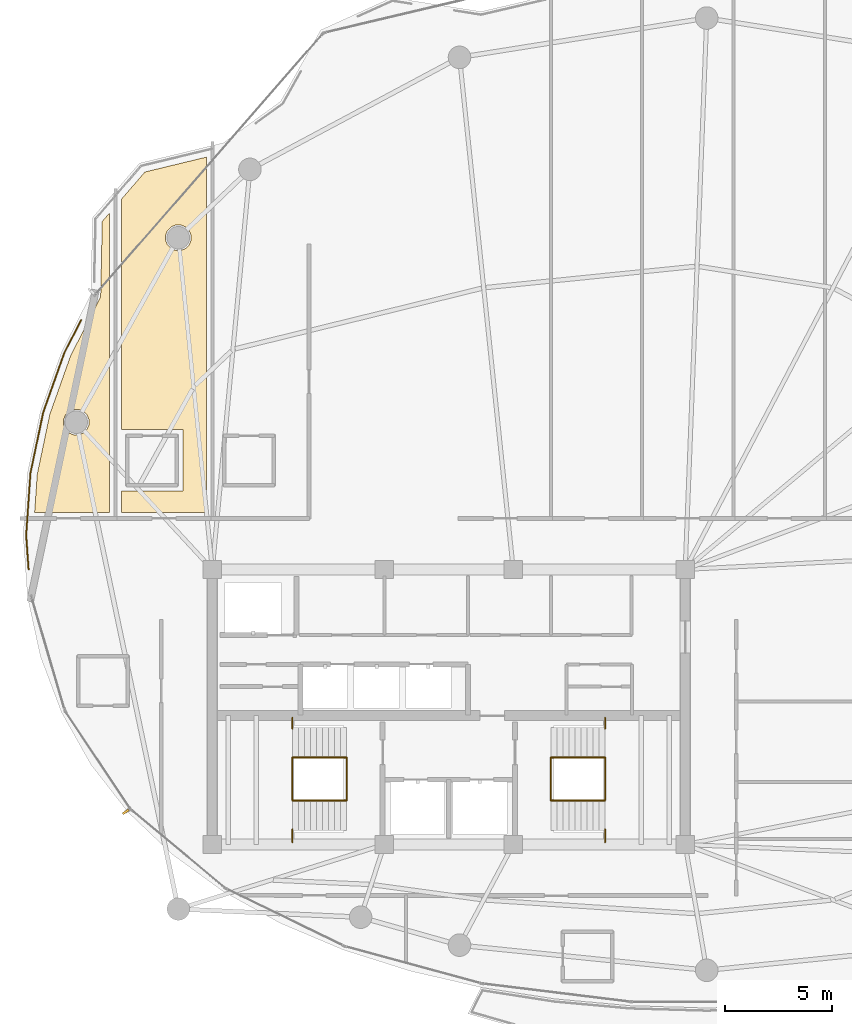
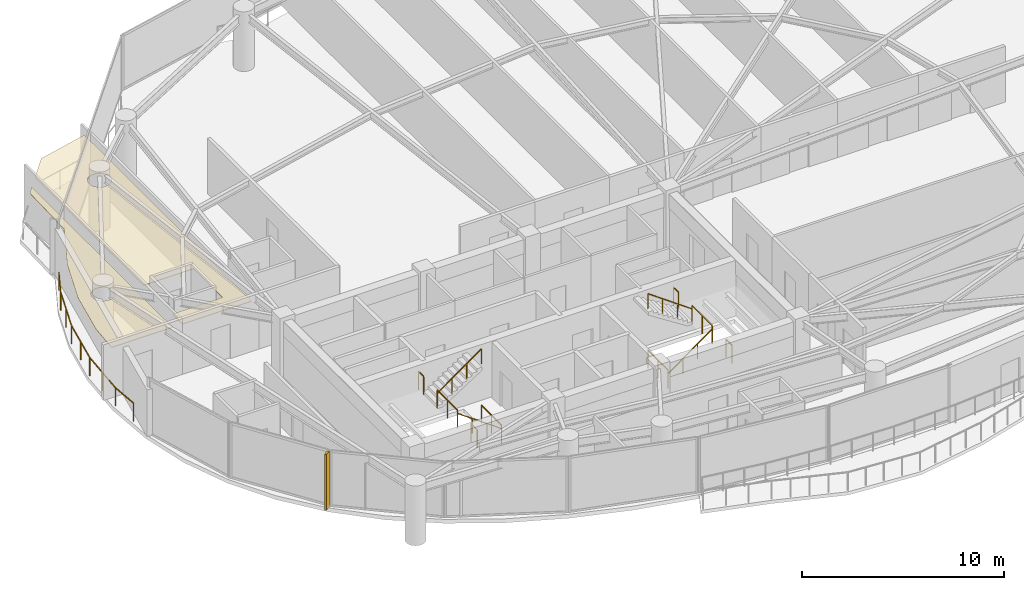
# One storey, part 27 of 29: 13 railings, 2 coverings, 1 shading device.
"""IFC4 building model written with IfcOpenShell, lengths in metres."""

import ifcopenshell
import ifcopenshell.guid

model = None  # the IFC model being written
_history = None  # IfcOwnerHistory: only IFC2X3 demands one
_inside = {}  # id of a spatial element -> (the spatial element, [elements in it])
_under = {}  # id of a project, library or spatial element -> (it, [spatial elements below it])
_declared = {}  # id of a project -> (the project, [libraries it declares])
_typed = {}  # id of a type object -> (the type object, [elements of that type])
_made_of = {}  # id of a material, layer set ... -> (it, [elements and type objects made of it])


def new_model(schema):
    """Start an empty IFC model of exactly this schema.

    Asked for "IFC4X3", IfcOpenShell would pick the latest addendum, in which some entities
    have other attributes; the version numbers below select the first issue.
    IFC2X3 requires an IfcOwnerHistory on every rooted entity: one is made here for all.
    """
    global model, _history
    if schema == "IFC4X3":
        model = ifcopenshell.file(schema_version=(4, 3, 0, 0))
    else:
        model = ifcopenshell.file(schema=schema)
    _inside.clear()
    _under.clear()
    _declared.clear()
    _typed.clear()
    _made_of.clear()
    _history = None
    if model.schema == "IFC2X3":
        org = make("IfcOrganization", Name="unknown")
        user = make(
            "IfcPersonAndOrganization",
            ThePerson=make("IfcPerson", FamilyName="unknown"),
            TheOrganization=org,
        )
        app = make(
            "IfcApplication",
            ApplicationDeveloper=org,
            Version="unknown",
            ApplicationFullName="unknown",
            ApplicationIdentifier="unknown",
        )
        _history = make(
            "IfcOwnerHistory",
            OwningUser=user,
            OwningApplication=app,
            ChangeAction="ADDED",
            CreationDate=0,
        )
    return model


def make(cls, **values):
    """One entity of the class cls with the attributes given. An attribute that is None is left unset."""
    return model.create_entity(
        cls, **{name: value for name, value in values.items() if value is not None}
    )


def rooted(cls, **values):
    """An entity with a GlobalId (a new one), such as an element, a storey or a relation."""
    return make(cls, GlobalId=ifcopenshell.guid.new(), OwnerHistory=_history, **values)


def si_unit(unit_type, name, prefix=None):
    """IfcSIUnit, for example si_unit("LENGTHUNIT", "METRE", prefix="MILLI")."""
    return make("IfcSIUnit", UnitType=unit_type, Prefix=prefix, Name=name)


def assignment(units):
    """IfcUnitAssignment: the units of a project."""
    return None if units is None else make("IfcUnitAssignment", Units=units)


def point(xyz):
    """IfcCartesianPoint."""
    return None if xyz is None else make("IfcCartesianPoint", Coordinates=xyz)


def direction(xyz):
    """IfcDirection."""
    return None if xyz is None else make("IfcDirection", DirectionRatios=xyz)


def frame(location, z_axis=None, x_axis=None):
    """IfcAxis2Placement3D, a coordinate frame: its origin and axes. An axis left out is left unset."""
    return make(
        "IfcAxis2Placement3D",
        Location=point(location),
        Axis=direction(z_axis),
        RefDirection=direction(x_axis),
    )


def frame_2d(location, x_axis=None):
    """IfcAxis2Placement2D, a coordinate frame in the plane: its origin and x axis."""
    return make(
        "IfcAxis2Placement2D", Location=point(location), RefDirection=direction(x_axis)
    )


def origin():
    """The frame at (0, 0, 0) with its axes left unset."""
    return frame((0.0, 0.0, 0.0))


def origin_2d():
    """The frame at (0, 0) in the plane with its x axis left unset."""
    return frame_2d((0.0, 0.0))


def place(relative_to, where):
    """IfcLocalPlacement: puts the frame where relative to a parent placement (None: the world)."""
    return make(
        "IfcLocalPlacement", PlacementRelTo=relative_to, RelativePlacement=where
    )


def context(
    kind, dimensions, precision=None, world=None, true_north=None, identifier=None
):
    """IfcGeometricRepresentationContext, for example the 3D "Model" context."""
    return make(
        "IfcGeometricRepresentationContext",
        ContextIdentifier=identifier,
        ContextType=kind,
        CoordinateSpaceDimension=dimensions,
        Precision=precision,
        WorldCoordinateSystem=world,
        TrueNorth=true_north,
    )


def subcontext(parent, identifier, kind, view, scale=None):
    """IfcGeometricRepresentationSubContext, for example "Body" below "Model"."""
    return make(
        "IfcGeometricRepresentationSubContext",
        ContextIdentifier=identifier,
        ContextType=kind,
        ParentContext=parent,
        TargetScale=scale,
        TargetView=view,
    )


def project(units=None, contexts=None):
    """IfcProject with its units and contexts."""
    return rooted(
        "IfcProject",
        Name="project",
        RepresentationContexts=contexts,
        UnitsInContext=assignment(units),
    )


def spatial(cls, under=None, at=None, **own):
    """A site, building, storey or space (cls), placed at a placement, below another one or the project."""
    s = rooted(cls, ObjectPlacement=at, **own)
    if under is not None:
        _under.setdefault(under.id(), (under, []))[1].append(s)
    return s


def polyline(points):
    """IfcPolyline through the points."""
    return make("IfcPolyline", Points=[point(p) for p in points])


def profile(cls, at=None, kind="AREA", **sizes):
    """A parametric profile (cls). Its sizes go by their IFC names, for example OverallWidth=200.0."""
    return make(cls, ProfileType=kind, Position=at, **sizes)


def rectangle(**sizes):
    """IfcRectangleProfileDef."""
    return profile("IfcRectangleProfileDef", **sizes)


def outline(outer, holes=None, kind="AREA"):
    """IfcArbitraryClosedProfileDef: a profile drawn as a closed curve; with holes, ...WithVoids."""
    if holes is None:
        return make("IfcArbitraryClosedProfileDef", ProfileType=kind, OuterCurve=outer)
    return make(
        "IfcArbitraryProfileDefWithVoids",
        ProfileType=kind,
        OuterCurve=outer,
        InnerCurves=holes,
    )


def extrude(swept, where, along, depth):
    """IfcExtrudedAreaSolid: the profile swept, set in the frame where, extruded along a direction by depth."""
    return make(
        "IfcExtrudedAreaSolid",
        SweptArea=swept,
        Position=where,
        ExtrudedDirection=direction(along),
        Depth=depth,
    )


def shape(context_of_items, identifier, shape_type, items):
    """IfcShapeRepresentation: the items that make up one representation, for example the "Body"."""
    return make(
        "IfcShapeRepresentation",
        ContextOfItems=context_of_items,
        RepresentationIdentifier=identifier,
        RepresentationType=shape_type,
        Items=items,
    )


def material(Name=None, Category=None):
    """IfcMaterial."""
    return make("IfcMaterial", Name=Name, Category=Category)


def layer(
    of_material, thickness, ventilated=None, Name=None, Category=None, Priority=None
):
    """IfcMaterialLayer: one layer of a wall or slab, of a material (None: an air gap)."""
    return make(
        "IfcMaterialLayer",
        Material=of_material,
        LayerThickness=thickness,
        IsVentilated=ventilated,
        Name=Name,
        Category=Category,
        Priority=Priority,
    )


def layer_set(layers, Name=None):
    """IfcMaterialLayerSet."""
    return make("IfcMaterialLayerSet", MaterialLayers=layers, LayerSetName=Name)


def made_of(thing, what):
    """Note that an element or type object is made of a material, layer set ...; save() writes the relation."""
    if what is not None:
        _made_of.setdefault(what.id(), (what, []))[1].append(thing)
    return thing


def type_object(cls, material=None, **own):
    """A type object (cls), such as IfcWallType, which elements share."""
    return made_of(rooted(cls, **own), material)


def element(
    cls,
    number,
    at=None,
    inside=None,
    cuts=None,
    type_object=None,
    material=None,
    context=None,
    identifier="Body",
    shape_type=None,
    held_by="IfcProductDefinitionShape",
    body=None,
    shapes=None,
    **own,
):
    """One element of the class cls, such as IfcWall. Its Tag is "e" and its number.

    at: its placement. inside: the storey or other place that contains it. cuts: it is an
    opening in that element (IfcRelVoidsElement). A single representation is given by context,
    identifier, shape_type and body (its items); several are given by shapes. held_by: the class
    of the entity that holds the representations. save() writes the other relations.
    """
    e = rooted(cls, Tag="e%d" % number, ObjectPlacement=at, **own)
    if body is not None:
        shapes = [shape(context, identifier, shape_type, body)]
    if shapes is not None:
        e.Representation = make(held_by, Representations=shapes)
    if inside is not None:
        _inside.setdefault(inside.id(), (inside, []))[1].append(e)
    if cuts is not None:
        rooted(
            "IfcRelVoidsElement", RelatingBuildingElement=cuts, RelatedOpeningElement=e
        )
    if type_object is not None:
        _typed.setdefault(type_object.id(), (type_object, []))[1].append(e)
    return made_of(e, material)


def aggregate(whole, parts):
    """IfcRelAggregates: a whole, such as a stair, and the parts it consists of."""
    return rooted("IfcRelAggregates", RelatingObject=whole, RelatedObjects=parts)


def save(model, path):
    """Write the relations noted so far, then the file.

    IfcRelAggregates (storeys below a building ...), IfcRelContainedInSpatialStructure (elements
    in a storey), IfcRelDefinesByType, IfcRelAssociatesMaterial and IfcRelDeclares: one each for
    every whole, place, type object, material and project.
    """
    for whole, parts in _under.values():
        aggregate(whole, parts)
    for where, things in _inside.values():
        rooted(
            "IfcRelContainedInSpatialStructure",
            RelatedElements=things,
            RelatingStructure=where,
        )
    for kind, things in _typed.values():
        rooted("IfcRelDefinesByType", RelatedObjects=things, RelatingType=kind)
    for what, things in _made_of.values():
        rooted("IfcRelAssociatesMaterial", RelatedObjects=things, RelatingMaterial=what)
    for by, libraries in _declared.values():
        rooted("IfcRelDeclares", RelatingContext=by, RelatedDefinitions=libraries)
    model.write(path)


model = new_model("IFC4")

# Units and contexts
model_context = context("Model", 3, precision=1e-05, world=origin(), true_north=direction((0.0, 1.0)))
body_context = subcontext(model_context, "Body", "Model", "MODEL_VIEW")
ifc_project = project(units=[si_unit("LENGTHUNIT", "METRE"), si_unit("AREAUNIT", "SQUARE_METRE"), si_unit("VOLUMEUNIT", "CUBIC_METRE"), si_unit("PLANEANGLEUNIT", "RADIAN"), si_unit("MASSUNIT", "GRAM", prefix="KILO")], contexts=[model_context])

# Site, building, storey
site_placement = place(None, origin())
site = spatial("IfcSite", under=ifc_project, at=site_placement, CompositionType="ELEMENT")
building_placement = place(site_placement, origin())
building = spatial("IfcBuilding", under=site, at=building_placement, Name="Kazevale Care Tower and Concert Hall", CompositionType="ELEMENT")
storey_placement = place(building_placement, frame((0.0, 0.0, 224.39990234375)))
storey = spatial("IfcBuildingStorey", under=building, at=storey_placement, Name="L59", CompositionType="ELEMENT", Elevation=224.39990234375)

# Coverings
ifc_material_1 = material(Name="Acoustic Plaster and Hinoki Wood", Category="wood")
ifc_layer = layer(ifc_material_1, 0.0400390625)
ifc_layer_set = layer_set([ifc_layer], Name="Acoustic Plaster and Hinoki Wood")
covering_type = type_object("IfcCoveringType", Name="Acoustic Perforated Wood-Gypsum Ceiling", PredefinedType="CEILING", material=ifc_layer_set)
covering_1_placement = place(storey_placement, frame((0.0, 0.0, 2.710205078125)))
element("IfcCovering", 1, at=covering_1_placement, inside=storey, type_object=covering_type, Name="clg:L59:1", PredefinedType="CEILING", context=body_context, shape_type="SweptSolid", body=[
    extrude(outline(polyline([(14.44091796875, 43.615966796875), (15.407958984375, 46.339111328125), (16.806884765625, 49.0791015625), (16.8798828125, 52.589111328125), (17.219970703125, 52.98291015625), (17.219970703125, 39.054931640625), (13.73388671875, 39.054931640625), (13.85693359375, 40.824951171875), (14.44091796875, 43.615966796875)]), holes=[polyline([(16.262939453125, 43.367919921875), (16.173095703125, 43.5859375), (16.006103515625, 43.7529296875), (15.7880859375, 43.843017578125), (15.552001953125, 43.843017578125), (15.333984375, 43.7529296875), (15.1669921875, 43.5859375), (15.076904296875, 43.367919921875), (15.076904296875, 43.132080078125), (15.1669921875, 42.9140625), (15.333984375, 42.7470703125), (15.552001953125, 42.656982421875), (15.7880859375, 42.656982421875), (16.006103515625, 42.7470703125), (16.173095703125, 42.9140625), (16.262939453125, 43.132080078125), (16.262939453125, 43.367919921875)])]), origin(), (0.0, 0.0, 1.0), 0.039794921875),
])
covering_2_placement = place(storey_placement, frame((0.0, 0.0, 2.710205078125)))
element("IfcCovering", 2, at=covering_2_placement, inside=storey, type_object=covering_type, Name="clg:L59:2", PredefinedType="CEILING", context=body_context, shape_type="SweptSolid", body=[
    extrude(outline(polyline([(20.6298828125, 40.044921875), (20.6298828125, 42.905029296875), (17.780029296875, 42.905029296875), (17.780029296875, 53.632080078125), (18.864990234375, 54.888916015625), (21.719970703125, 55.5791015625), (21.719970703125, 39.054931640625), (17.780029296875, 39.054931640625), (17.780029296875, 40.044921875), (20.6298828125, 40.044921875)]), holes=[polyline([(21.012939453125, 51.947998046875), (20.923095703125, 52.166015625), (20.756103515625, 52.3330078125), (20.5380859375, 52.423095703125), (20.302001953125, 52.423095703125), (20.083984375, 52.3330078125), (19.9169921875, 52.166015625), (19.826904296875, 51.947998046875), (19.826904296875, 51.7119140625), (19.9169921875, 51.493896484375), (20.083984375, 51.326904296875), (20.302001953125, 51.237060546875), (20.5380859375, 51.237060546875), (20.756103515625, 51.326904296875), (20.923095703125, 51.493896484375), (21.012939453125, 51.7119140625), (21.012939453125, 51.947998046875)])]), origin(), (0.0, 0.0, 1.0), 0.039794921875),
])

# Railings
ifc_material_2 = material(Name="Anodised Bronze Aluminium and Laminated Glass", Category="aluminium")
railing_type_1 = type_object("IfcRailingType", Name="Balcony and Terrace Balustrade 1120", PredefinedType="BALUSTRADE", material=ifc_material_2)
railing_1_placement = place(storey_placement, frame((13.451904296875, 36.39892578125, 0.0)))
element("IfcRailing", 3, at=railing_1_placement, inside=storey, type_object=railing_type_1, Name="rail:L59:perim:1", PredefinedType="BALUSTRADE", context=body_context, shape_type="SweptSolid", body=[
    extrude(rectangle(XDim=0.048095703125, YDim=0.048095703125, at=origin_2d()), frame((0.0, 0.0, 1.09619140625), z_axis=(-0.069668671127, 0.997570186134, 0.0), x_axis=(-0.997570186134, -0.069668671127, 0.0)), (0.0, 0.0, 1.0), 1.60498046875),
    extrude(rectangle(XDim=0.048095703125, YDim=0.048095703125, at=origin_2d()), frame((-0.11181640625, 1.60107421875, 1.09619140625), z_axis=(0.069189590327, 0.997603528758, 0.0), x_axis=(-0.997603528758, 0.069189590327, 0.0)), (0.0, 0.0, 1.0), 2.875732421875),
    extrude(rectangle(XDim=0.048095703125, YDim=0.048095703125, at=origin_2d()), frame((0.087158203125, 4.469970703125, 1.09619140625), z_axis=(0.204816187417, 0.978800454317, 0.0), x_axis=(-0.978800454317, 0.204816187417, 0.0)), (0.0, 0.0, 1.0), 2.895263671875),
    extrude(rectangle(XDim=0.048095703125, YDim=0.048095703125, at=origin_2d()), frame((0.68017578125, 7.303955078125, 1.09619140625), z_axis=(0.334552974602, 0.942376945381, 0.0), x_axis=(-0.942376945381, 0.334552974602, 0.0)), (0.0, 0.0, 1.0), 2.93212890625),
    extrude(rectangle(XDim=0.048095703125, YDim=0.048095703125, at=origin_2d()), frame((1.6611328125, 10.067138671875, 1.09619140625), z_axis=(0.455056261721, 0.890462687971, 0.0), x_axis=(-0.890462687971, 0.455056261721, 0.0)), (0.0, 0.0, 1.0), 1.72705078125),
    extrude(rectangle(XDim=0.0419921875, YDim=0.0419921875, at=origin_2d()), origin(), (0.0, 0.0, 1.0), 1.072021484375),
    extrude(rectangle(XDim=0.0419921875, YDim=0.0419921875, at=origin_2d()), frame((-0.11181640625, 1.60107421875, 0.0)), (0.0, 0.0, 1.0), 1.072021484375),
    extrude(rectangle(XDim=0.0419921875, YDim=0.0419921875, at=origin_2d()), frame((-0.01220703125, 3.03564453125, 0.0)), (0.0, 0.0, 1.0), 1.072021484375),
    extrude(rectangle(XDim=0.0419921875, YDim=0.0419921875, at=origin_2d()), frame((0.087158203125, 4.469970703125, 0.0)), (0.0, 0.0, 1.0), 1.072021484375),
    extrude(rectangle(XDim=0.0419921875, YDim=0.0419921875, at=origin_2d()), frame((0.3837890625, 5.886962890625, 0.0)), (0.0, 0.0, 1.0), 1.072021484375),
    extrude(rectangle(XDim=0.0419921875, YDim=0.0419921875, at=origin_2d()), frame((0.68017578125, 7.303955078125, 0.0)), (0.0, 0.0, 1.0), 1.072021484375),
    extrude(rectangle(XDim=0.0419921875, YDim=0.0419921875, at=origin_2d()), frame((1.170654296875, 8.685546875, 0.0)), (0.0, 0.0, 1.0), 1.072021484375),
    extrude(rectangle(XDim=0.0419921875, YDim=0.0419921875, at=origin_2d()), frame((1.6611328125, 10.067138671875, 0.0)), (0.0, 0.0, 1.0), 1.072021484375),
    extrude(rectangle(XDim=0.0419921875, YDim=0.0419921875, at=origin_2d()), frame((2.447021484375, 11.60498046875, 0.0)), (0.0, 0.0, 1.0), 1.072021484375),
])
ifc_material_3 = material(Name="Stainless Steel 316", Category="steel")
railing_type_2 = type_object("IfcRailingType", Name="Stair Pitch Handrail 920", PredefinedType="HANDRAIL", material=ifc_material_3)
railing_2_placement = place(storey_placement, frame((28.25, 25.64990234375, 0.0)))
element("IfcRailing", 4, at=railing_2_placement, inside=storey, type_object=railing_type_2, Name="stair:L59:ST1:hr1", PredefinedType="HANDRAIL", context=body_context, shape_type="SweptSolid", body=[
    extrude(rectangle(XDim=0.048095703125, YDim=0.048095703125, at=origin_2d()), frame((0.0, 0.0, 0.89599609375), z_axis=(-0.813728144527, 0.0, 0.581245650998), x_axis=(0.0, -1.0, 0.0)), (0.0, 0.0, 1.0), 3.096923828125),
    extrude(rectangle(XDim=0.0419921875, YDim=0.0419921875, at=origin_2d()), origin(), (0.0, 0.0, 1.0), 0.871826171875),
    extrude(rectangle(XDim=0.0419921875, YDim=0.0419921875, at=origin_2d()), frame((-0.840087890625, 0.0, 0.60009765625)), (0.0, 0.0, 1.0), 0.871826171875),
    extrude(rectangle(XDim=0.0419921875, YDim=0.0419921875, at=origin_2d()), frame((-1.679931640625, 0.0, 1.199951171875)), (0.0, 0.0, 1.0), 0.871826171875),
    extrude(rectangle(XDim=0.0419921875, YDim=0.0419921875, at=origin_2d()), frame((-2.52001953125, 0.0, 1.800048828125)), (0.0, 0.0, 1.0), 0.871826171875),
])
for number, where, name in (
    (5, (25.72998046875, 27.64990234375, 1.800048828125), "stair:L59:ST1:hr2"),
    (6, (37.75, 25.64990234375, 0.0), "stair:L59:ST2:hr1"),
):
    element("IfcRailing", number, at=place(storey_placement, frame(where)), inside=storey, type_object=railing_type_2, Name=name, PredefinedType="HANDRAIL", context=body_context, shape_type="SweptSolid", body=[
        extrude(rectangle(XDim=0.048095703125, YDim=0.048095703125, at=origin_2d()), frame((0.0, 0.0, 0.89599609375), z_axis=(0.813728144527, 0.0, 0.581245650998), x_axis=(0.0, 1.0, 0.0)), (0.0, 0.0, 1.0), 3.096923828125),
        extrude(rectangle(XDim=0.0419921875, YDim=0.0419921875, at=origin_2d()), origin(), (0.0, 0.0, 1.0), 0.871826171875),
        extrude(rectangle(XDim=0.0419921875, YDim=0.0419921875, at=origin_2d()), frame((0.840087890625, 0.0, 0.60009765625)), (0.0, 0.0, 1.0), 0.871826171875),
        extrude(rectangle(XDim=0.0419921875, YDim=0.0419921875, at=origin_2d()), frame((1.679931640625, 0.0, 1.199951171875)), (0.0, 0.0, 1.0), 0.871826171875),
        extrude(rectangle(XDim=0.0419921875, YDim=0.0419921875, at=origin_2d()), frame((2.52001953125, 0.0, 1.800048828125)), (0.0, 0.0, 1.0), 0.871826171875),
    ])
railing_3_placement = place(storey_placement, frame((40.27001953125, 27.64990234375, 1.800048828125)))
element("IfcRailing", 7, at=railing_3_placement, inside=storey, type_object=railing_type_2, Name="stair:L59:ST2:hr2", PredefinedType="HANDRAIL", context=body_context, shape_type="SweptSolid", body=[
    extrude(rectangle(XDim=0.048095703125, YDim=0.048095703125, at=origin_2d()), frame((0.0, 0.0, 0.89599609375), z_axis=(-0.813728144527, 0.0, 0.581245650998), x_axis=(0.0, -1.0, 0.0)), (0.0, 0.0, 1.0), 3.096923828125),
    extrude(rectangle(XDim=0.0419921875, YDim=0.0419921875, at=origin_2d()), origin(), (0.0, 0.0, 1.0), 0.871826171875),
    extrude(rectangle(XDim=0.0419921875, YDim=0.0419921875, at=origin_2d()), frame((-0.840087890625, 0.0, 0.60009765625)), (0.0, 0.0, 1.0), 0.871826171875),
    extrude(rectangle(XDim=0.0419921875, YDim=0.0419921875, at=origin_2d()), frame((-1.679931640625, 0.0, 1.199951171875)), (0.0, 0.0, 1.0), 0.871826171875),
    extrude(rectangle(XDim=0.0419921875, YDim=0.0419921875, at=origin_2d()), frame((-2.52001953125, 0.0, 1.800048828125)), (0.0, 0.0, 1.0), 0.871826171875),
])
railing_type_3 = type_object("IfcRailingType", Name="Stair Well Guard Balustrade 1120", PredefinedType="BALUSTRADE", material=ifc_material_3)
railing_4_placement = place(storey_placement, frame((25.72998046875, 23.699951171875, 1.800048828125)))
element("IfcRailing", 8, at=railing_4_placement, inside=storey, type_object=railing_type_3, Name="stair:L59:ST1:grd_side1", PredefinedType="BALUSTRADE", context=body_context, shape_type="SweptSolid", body=[
    extrude(rectangle(XDim=0.048095703125, YDim=0.048095703125, at=origin_2d()), frame((0.0, 0.0, 1.09619140625), z_axis=(0.0, 1.0, 0.0), x_axis=(-1.0, 0.0, 0.0)), (0.0, 0.0, 1.0), 0.610107421875),
    extrude(rectangle(XDim=0.0419921875, YDim=0.0419921875, at=origin_2d()), origin(), (0.0, 0.0, 1.0), 1.072021484375),
    extrude(rectangle(XDim=0.0419921875, YDim=0.0419921875, at=origin_2d()), frame((0.0, 0.610107421875, 0.0)), (0.0, 0.0, 1.0), 1.072021484375),
])
railing_5_placement = place(storey_placement, frame((25.72998046875, 28.989990234375, 1.800048828125)))
element("IfcRailing", 9, at=railing_5_placement, inside=storey, type_object=railing_type_3, Name="stair:L59:ST1:grd_side2", PredefinedType="BALUSTRADE", context=body_context, shape_type="SweptSolid", body=[
    extrude(rectangle(XDim=0.048095703125, YDim=0.048095703125, at=origin_2d()), frame((0.0, 0.0, 1.09619140625), z_axis=(0.0, 1.0, 0.0), x_axis=(-1.0, 0.0, 0.0)), (0.0, 0.0, 1.0), 0.510009765625),
    extrude(rectangle(XDim=0.0419921875, YDim=0.0419921875, at=origin_2d()), origin(), (0.0, 0.0, 1.0), 1.072021484375),
    extrude(rectangle(XDim=0.0419921875, YDim=0.0419921875, at=origin_2d()), frame((0.0, 0.510009765625, 0.0)), (0.0, 0.0, 1.0), 1.072021484375),
])
for number, where, name in (
    (10, (25.72998046875, 25.64990234375, 1.800048828125), "stair:L59:ST1:grd_mid"),
    (11, (28.25, 25.64990234375, 0.0), "stair:L59:ST1:grd_flr"),
):
    element("IfcRailing", number, at=place(storey_placement, frame(where)), inside=storey, type_object=railing_type_3, Name=name, PredefinedType="BALUSTRADE", context=body_context, shape_type="SweptSolid", body=[
        extrude(rectangle(XDim=0.048095703125, YDim=0.048095703125, at=origin_2d()), frame((0.0, 0.0, 1.09619140625), z_axis=(0.0, 1.0, 0.0), x_axis=(-1.0, 0.0, 0.0)), (0.0, 0.0, 1.0), 2.0),
        extrude(rectangle(XDim=0.0419921875, YDim=0.0419921875, at=origin_2d()), origin(), (0.0, 0.0, 1.0), 1.072021484375),
        extrude(rectangle(XDim=0.0419921875, YDim=0.0419921875, at=origin_2d()), frame((0.0, 1.0, 0.0)), (0.0, 0.0, 1.0), 1.072021484375),
        extrude(rectangle(XDim=0.0419921875, YDim=0.0419921875, at=origin_2d()), frame((0.0, 2.0, 0.0)), (0.0, 0.0, 1.0), 1.072021484375),
    ])
railing_6_placement = place(storey_placement, frame((40.27001953125, 23.699951171875, 1.800048828125)))
element("IfcRailing", 12, at=railing_6_placement, inside=storey, type_object=railing_type_3, Name="stair:L59:ST2:grd_side1", PredefinedType="BALUSTRADE", context=body_context, shape_type="SweptSolid", body=[
    extrude(rectangle(XDim=0.048095703125, YDim=0.048095703125, at=origin_2d()), frame((0.0, 0.0, 1.09619140625), z_axis=(0.0, 1.0, 0.0), x_axis=(-1.0, 0.0, 0.0)), (0.0, 0.0, 1.0), 0.610107421875),
    extrude(rectangle(XDim=0.0419921875, YDim=0.0419921875, at=origin_2d()), origin(), (0.0, 0.0, 1.0), 1.072021484375),
    extrude(rectangle(XDim=0.0419921875, YDim=0.0419921875, at=origin_2d()), frame((0.0, 0.610107421875, 0.0)), (0.0, 0.0, 1.0), 1.072021484375),
])
railing_7_placement = place(storey_placement, frame((40.27001953125, 28.989990234375, 1.800048828125)))
element("IfcRailing", 13, at=railing_7_placement, inside=storey, type_object=railing_type_3, Name="stair:L59:ST2:grd_side2", PredefinedType="BALUSTRADE", context=body_context, shape_type="SweptSolid", body=[
    extrude(rectangle(XDim=0.048095703125, YDim=0.048095703125, at=origin_2d()), frame((0.0, 0.0, 1.09619140625), z_axis=(0.0, 1.0, 0.0), x_axis=(-1.0, 0.0, 0.0)), (0.0, 0.0, 1.0), 0.510009765625),
    extrude(rectangle(XDim=0.0419921875, YDim=0.0419921875, at=origin_2d()), origin(), (0.0, 0.0, 1.0), 1.072021484375),
    extrude(rectangle(XDim=0.0419921875, YDim=0.0419921875, at=origin_2d()), frame((0.0, 0.510009765625, 0.0)), (0.0, 0.0, 1.0), 1.072021484375),
])
for number, where, name in (
    (14, (40.27001953125, 25.64990234375, 1.800048828125), "stair:L59:ST2:grd_mid"),
    (15, (37.75, 25.64990234375, 0.0), "stair:L59:ST2:grd_flr"),
):
    element("IfcRailing", number, at=place(storey_placement, frame(where)), inside=storey, type_object=railing_type_3, Name=name, PredefinedType="BALUSTRADE", context=body_context, shape_type="SweptSolid", body=[
        extrude(rectangle(XDim=0.048095703125, YDim=0.048095703125, at=origin_2d()), frame((0.0, 0.0, 1.09619140625), z_axis=(0.0, 1.0, 0.0), x_axis=(-1.0, 0.0, 0.0)), (0.0, 0.0, 1.0), 2.0),
        extrude(rectangle(XDim=0.0419921875, YDim=0.0419921875, at=origin_2d()), origin(), (0.0, 0.0, 1.0), 1.072021484375),
        extrude(rectangle(XDim=0.0419921875, YDim=0.0419921875, at=origin_2d()), frame((0.0, 1.0, 0.0)), (0.0, 0.0, 1.0), 1.072021484375),
        extrude(rectangle(XDim=0.0419921875, YDim=0.0419921875, at=origin_2d()), frame((0.0, 2.0, 0.0)), (0.0, 0.0, 1.0), 1.072021484375),
    ])

# Shading device
ifc_material_4 = material(Name="Anodised Bronze Aluminium", Category="aluminium")
shading_device_type = type_object("IfcShadingDeviceType", Name="Waist Anodised Bronze-Stone Fin FIN-02", PredefinedType="USERDEFINED", material=ifc_material_4)
shading_device_placement = place(storey_placement, frame((17.972900390625, 25.121337890625, 0.0), z_axis=(0.0, 0.0, 1.0), x_axis=(-0.832147748683, -0.554553986878, 0.0)))
element("IfcShadingDevice", 16, at=shading_device_placement, inside=storey, type_object=shading_device_type, Name="cw:L59:f11:fin", ObjectType="FIN", PredefinedType="USERDEFINED", context=body_context, shape_type="SweptSolid", body=[
    extrude(rectangle(XDim=0.340087890625, YDim=0.10009765625, at=origin_2d()), origin(), (0.0, 0.0, 1.0), 3.360107421875),
])

save(model, "model.ifc")
